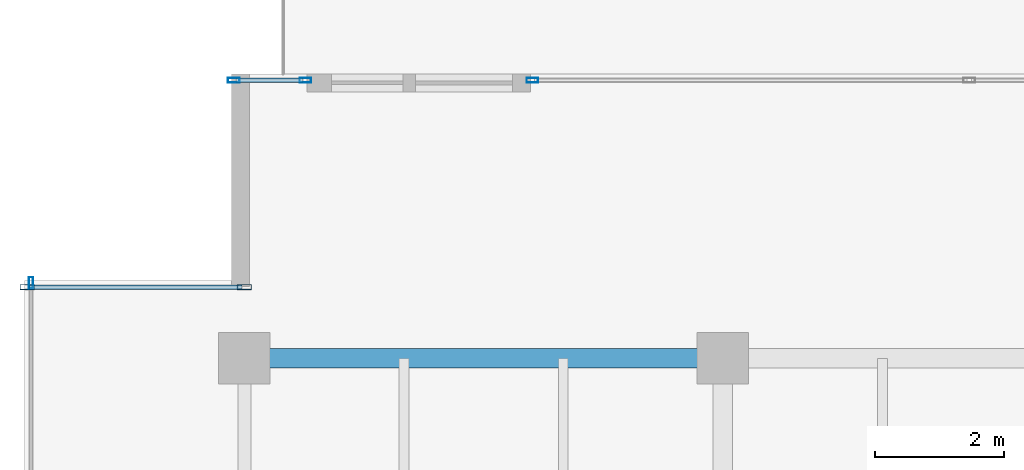
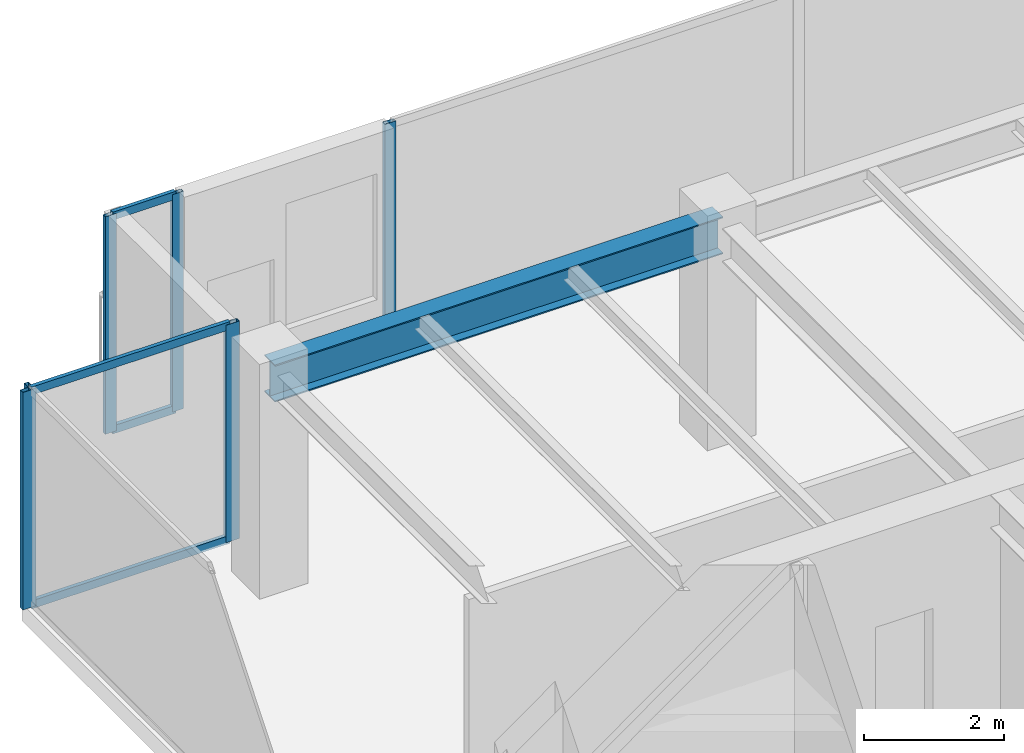
# One storey, part 14 of 34: 10 members, 1 beam, 4 elements without a shape of their own.
"""IFC4 building model written with IfcOpenShell, lengths in metres."""

from ifc_helpers import new_model, si_unit, direction, frame, origin, origin_2d, place, context, subcontext, project, spatial, hollow_rectangle, i_section, extrude, source, transform, mapped, material, layer, layer_set, material_profile, profile_set, type_object, type_shapes, element, aggregate, save


model = new_model("IFC4")

# Units and contexts
model_context = context("Model", 3, precision=1e-05, world=origin(), true_north=direction((0.0, 1.0)))
body_context = subcontext(model_context, "Body", "Model", "MODEL_VIEW")
ifc_project = project(units=[si_unit("LENGTHUNIT", "METRE"), si_unit("AREAUNIT", "SQUARE_METRE"), si_unit("VOLUMEUNIT", "CUBIC_METRE"), si_unit("PLANEANGLEUNIT", "RADIAN"), si_unit("MASSUNIT", "GRAM", prefix="KILO")], contexts=[model_context])

# Site, building, storey
site_placement = place(None, origin())
site = spatial("IfcSite", under=ifc_project, at=site_placement, CompositionType="ELEMENT")
building_placement = place(site_placement, origin())
building = spatial("IfcBuilding", under=site, at=building_placement, Name="Haelvirn Gate Laboratories", CompositionType="ELEMENT")
storey_placement = place(building_placement, frame((0.0, 0.0, 205.5)))
storey = spatial("IfcBuildingStorey", under=building, at=storey_placement, Name="L49", CompositionType="ELEMENT", Elevation=205.5)

# Beam
ifc_material_1 = material(Name="Steel SM355", Category="steel")
ifc_material_profile_1 = material_profile(ifc_material_1, i_section(OverallWidth=0.300048828125, OverallDepth=0.64990234375, WebThickness=0.012939453125, FlangeThickness=0.02197265625, at=origin_2d()), Name="H-650x300x13x22")
ifc_profile_set_1 = profile_set([ifc_material_profile_1], Name="Steel SM355")
beam_type = type_object("IfcBeamType", Name="BM-G-650", PredefinedType="BEAM", material=ifc_profile_set_1)
shared_shape_1 = source(origin(), body_context, "Body", "SweptSolid", [
    extrude(i_section(OverallWidth=0.300048828125, OverallDepth=0.64990234375, WebThickness=0.012939453125, FlangeThickness=0.02197265625, at=origin_2d()), origin(), (0.0, 0.0, 1.0), 7.400146484375),
])
type_shapes(beam_type, [shared_shape_1])
beam_placement = place(storey_placement, frame((7.39990234375, 41.60009765625, 3.47509765625), z_axis=(1.0, 0.0, 0.0), x_axis=(0.0, 1.0, 0.0)))
element("IfcBeam", 1, at=beam_placement, inside=storey, type_object=beam_type, Name="L49 Primary Girder Y41.6 (7.4-14.8)", PredefinedType="BEAM", context=body_context, shape_type="MappedRepresentation", body=[
    mapped(shared_shape_1, transform((0.0, 0.0, 0.0), scale=1.0)),
])

# Curtain wall, members
ifc_material_2 = material(Name="Anodised bronze unitised aluminium & triple low-E glass", Category="aluminium")
ifc_layer_1 = layer(ifc_material_2, 0.181884765625, Name="CW-SYS-5")
ifc_layer_set_1 = layer_set([ifc_layer_1], Name="Anodised bronze unitised aluminium & triple low-E glass")
curtain_wall_type_1 = type_object("IfcCurtainWallType", Name="CW-SYS-5", PredefinedType="NOTDEFINED", material=ifc_layer_set_1)
curtain_wall_1_placement = place(storey_placement, origin())
curtain_wall_1 = element("IfcCurtainWall", 2, at=curtain_wall_1_placement, inside=storey, type_object=curtain_wall_type_1, Name="L49 Unitised Curtain Wall CW-L49-P0-E16-1", PredefinedType="NOTDEFINED")
ifc_material_3 = material(Name="Extruded aluminium 6063-T6 (anodised bronze)", Category="aluminium")
ifc_material_profile_2 = material_profile(ifc_material_3, hollow_rectangle(XDim=0.06494140625, YDim=0.139892578125, WallThickness=0.00390625, at=origin_2d()), Name="CWT-140x65x4")
ifc_profile_set_2 = profile_set([ifc_material_profile_2], Name="Extruded aluminium 6063-T6 (anodised bronze)")
member_type_1 = type_object("IfcMemberType", Name="CWT-T140", PredefinedType="USERDEFINED", material=ifc_profile_set_2)
shared_shape_2 = source(origin(), body_context, "Body", "SweptSolid", [
    extrude(hollow_rectangle(XDim=0.06494140625, YDim=0.139892578125, WallThickness=0.00390625, at=origin_2d()), origin(), (0.0, 0.0, 1.0), 3.280029296875),
])
member_1_placement = place(storey_placement, frame((4.080078125, 42.699951171875, 0.032470703125), z_axis=(1.0, 0.0, 0.0), x_axis=(0.0, 1.0, 0.0)))
member_1 = element("IfcMember", 3, at=member_1_placement, type_object=member_type_1, Name="CW5 transom 1.1", ObjectType="TRANSOM", PredefinedType="USERDEFINED", context=body_context, shape_type="MappedRepresentation", body=[
    mapped(shared_shape_2, transform((0.0, 0.0, 0.0), scale=1.0)),
])
member_2_placement = place(storey_placement, frame((4.080078125, 42.699951171875, 3.767578125), z_axis=(1.0, 0.0, 0.0), x_axis=(0.0, 1.0, 0.0)))
member_2 = element("IfcMember", 4, at=member_2_placement, type_object=member_type_1, Name="CW5 transom 1.2", ObjectType="TRANSOM", PredefinedType="USERDEFINED", context=body_context, shape_type="MappedRepresentation", body=[
    mapped(shared_shape_2, transform((0.0, 0.0, 0.0), scale=1.0)),
])

ifc_layer_2 = layer(ifc_material_2, 0.176025390625, Name="CW-SYS-4")
ifc_layer_set_2 = layer_set([ifc_layer_2], Name="Anodised bronze unitised aluminium & triple low-E glass")
curtain_wall_type_2 = type_object("IfcCurtainWallType", Name="CW-SYS-4", PredefinedType="NOTDEFINED", material=ifc_layer_set_2)
curtain_wall_2_placement = place(storey_placement, origin())
curtain_wall_2 = element("IfcCurtainWall", 5, at=curtain_wall_2_placement, inside=storey, type_object=curtain_wall_type_2, Name="L49 Unitised Curtain Wall CW-L49-P0-E14-1", PredefinedType="NOTDEFINED")
ifc_material_profile_3 = material_profile(ifc_material_3, hollow_rectangle(XDim=0.070068359375, YDim=0.179931640625, WallThickness=0.0048828125, at=origin_2d()), Name="CWM-180x70x5")
ifc_profile_set_3 = profile_set([ifc_material_profile_3], Name="Extruded aluminium 6063-T6 (anodised bronze)")
member_type_2 = type_object("IfcMemberType", Name="CWM-T180", PredefinedType="MULLION", material=ifc_profile_set_3)
shared_shape_3 = source(origin(), body_context, "Body", "SweptSolid", [
    extrude(hollow_rectangle(XDim=0.070068359375, YDim=0.179931640625, WallThickness=0.0048828125, at=origin_2d()), origin(), (0.0, 0.0, 1.0), 3.800048828125),
])
type_shapes(member_type_2, [shared_shape_3])
member_3_placement = place(storey_placement, frame((7.235107421875, 45.89990234375, 0.0), z_axis=(0.0, 0.0, 1.0), x_axis=(0.0, 1.0, 0.0)))
member_3 = element("IfcMember", 6, at=member_3_placement, type_object=member_type_2, Name="CW4 mullion 1", PredefinedType="MULLION", context=body_context, shape_type="MappedRepresentation", body=[
    mapped(shared_shape_3, transform((0.0, 0.0, 0.0), scale=1.0)),
])
member_4_placement = place(storey_placement, frame((8.344970703125, 45.89990234375, 0.0), z_axis=(0.0, 0.0, 1.0), x_axis=(0.0, 1.0, 0.0)))
member_4 = element("IfcMember", 7, at=member_4_placement, type_object=member_type_2, Name="CW4 mullion 2", PredefinedType="MULLION", context=body_context, shape_type="MappedRepresentation", body=[
    mapped(shared_shape_3, transform((0.0, 0.0, 0.0), scale=1.0)),
])

# Curtain wall, member
curtain_wall_3_placement = place(storey_placement, origin())
curtain_wall_3 = element("IfcCurtainWall", 8, at=curtain_wall_3_placement, inside=storey, type_object=curtain_wall_type_2, Name="L49 Unitised Curtain Wall CW-L49-P0-E14-2", PredefinedType="NOTDEFINED")
member_5_placement = place(storey_placement, frame((11.85498046875, 45.89990234375, 0.0), z_axis=(0.0, 0.0, 1.0), x_axis=(0.0, 1.0, 0.0)))
member_5 = element("IfcMember", 9, at=member_5_placement, type_object=member_type_2, Name="CW4 mullion 1", PredefinedType="MULLION", context=body_context, shape_type="MappedRepresentation", body=[
    mapped(shared_shape_3, transform((0.0, 0.0, 0.0), scale=1.0)),
])
aggregate(curtain_wall_3, [member_5])

curtain_wall_4_placement = place(storey_placement, origin())
curtain_wall_4 = element("IfcCurtainWall", 10, at=curtain_wall_4_placement, inside=storey, type_object=curtain_wall_type_2, Name="L49 Unitised Curtain Wall CW-L49-P0-E17", PredefinedType="NOTDEFINED")
member_6_placement = place(storey_placement, frame((4.10009765625, 42.764892578125, 0.0), z_axis=(0.0, 0.0, 1.0), x_axis=(1.0, 0.0, 0.0)))
member_6 = element("IfcMember", 11, at=member_6_placement, type_object=member_type_2, Name="CW4 mullion 1", PredefinedType="MULLION", context=body_context, shape_type="MappedRepresentation", body=[
    mapped(shared_shape_3, transform((0.0, 0.0, 0.0), scale=1.0)),
])
aggregate(curtain_wall_4, [member_6])

# Member
ifc_material_profile_4 = material_profile(ifc_material_3, hollow_rectangle(XDim=0.080078125, YDim=0.219970703125, WallThickness=0.006103515625, at=origin_2d()), Name="CWM-220x80x6")
ifc_profile_set_4 = profile_set([ifc_material_profile_4], Name="Extruded aluminium 6063-T6 (anodised bronze)")
member_type_3 = type_object("IfcMemberType", Name="CWM-T220", PredefinedType="MULLION", material=ifc_profile_set_4)
shared_shape_4 = source(origin(), body_context, "Body", "SweptSolid", [
    extrude(hollow_rectangle(XDim=0.080078125, YDim=0.219970703125, WallThickness=0.006103515625, at=origin_2d()), origin(), (0.0, 0.0, 1.0), 3.800048828125),
])
type_shapes(member_type_3, [shared_shape_4])
member_7_placement = place(storey_placement, frame((4.0400390625, 42.699951171875, 0.0), z_axis=(0.0, 0.0, 1.0), x_axis=(0.0, 1.0, 0.0)))
member_7 = element("IfcMember", 12, at=member_7_placement, type_object=member_type_3, Name="CW5 mullion 1", PredefinedType="MULLION", context=body_context, shape_type="MappedRepresentation", body=[
    mapped(shared_shape_4, transform((0.0, 0.0, 0.0), scale=1.0)),
])

member_8_placement = place(storey_placement, frame((7.39990234375, 42.699951171875, 0.0), z_axis=(0.0, 0.0, 1.0), x_axis=(0.0, 1.0, 0.0)))
member_8 = element("IfcMember", 13, at=member_8_placement, type_object=member_type_3, Name="CW5 mullion 2", PredefinedType="MULLION", context=body_context, shape_type="MappedRepresentation", body=[
    mapped(shared_shape_4, transform((0.0, 0.0, 0.0), scale=1.0)),
])

aggregate(curtain_wall_1, [member_7, member_8, member_1, member_2])

shared_shape_5 = source(origin(), body_context, "Body", "SweptSolid", [
    extrude(hollow_rectangle(XDim=0.06494140625, YDim=0.139892578125, WallThickness=0.00390625, at=origin_2d()), origin(), (0.0, 0.0, 1.0), 1.0400390625),
])
type_shapes(member_type_1, [shared_shape_2, shared_shape_5])
member_9_placement = place(storey_placement, frame((7.27001953125, 45.89990234375, 0.032470703125), z_axis=(1.0, 0.0, 0.0), x_axis=(0.0, 1.0, 0.0)))
member_9 = element("IfcMember", 14, at=member_9_placement, type_object=member_type_1, Name="CW4 transom 1.1", ObjectType="TRANSOM", PredefinedType="USERDEFINED", context=body_context, shape_type="MappedRepresentation", body=[
    mapped(shared_shape_5, transform((0.0, 0.0, 0.0), scale=1.0)),
])

member_10_placement = place(storey_placement, frame((7.27001953125, 45.89990234375, 3.767578125), z_axis=(1.0, 0.0, 0.0), x_axis=(0.0, 1.0, 0.0)))
member_10 = element("IfcMember", 15, at=member_10_placement, type_object=member_type_1, Name="CW4 transom 1.2", ObjectType="TRANSOM", PredefinedType="USERDEFINED", context=body_context, shape_type="MappedRepresentation", body=[
    mapped(shared_shape_5, transform((0.0, 0.0, 0.0), scale=1.0)),
])

aggregate(curtain_wall_2, [member_3, member_4, member_9, member_10])

save(model, "model.ifc")
